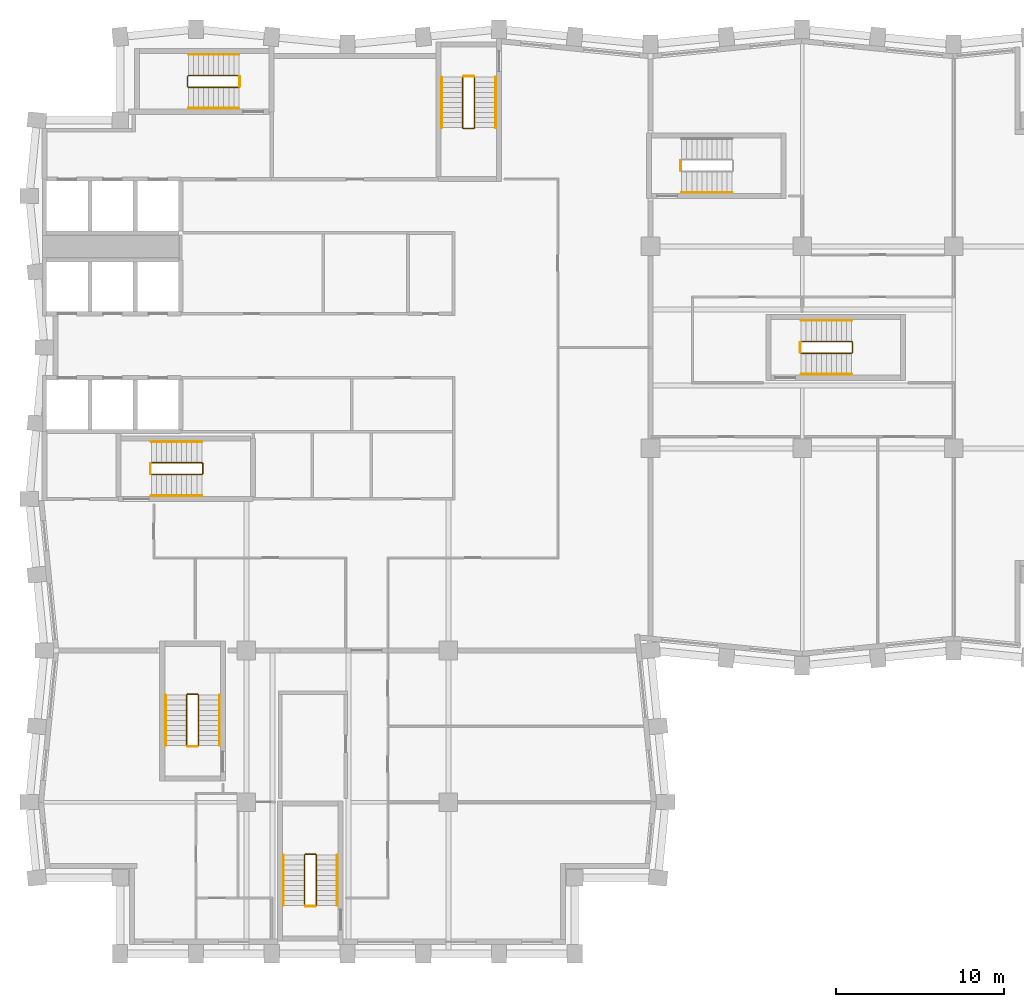
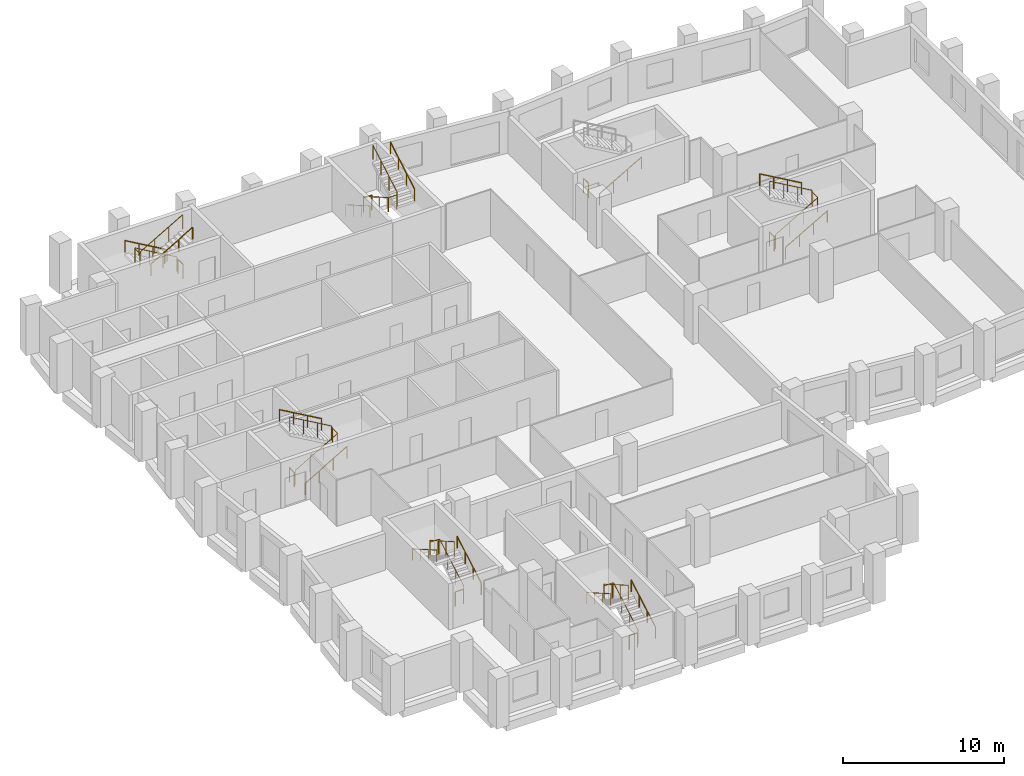
# One storey, part 9 of 10: 26 railings.
"""IFC4 building model written with IfcOpenShell, lengths in metres."""

import ifcopenshell
import ifcopenshell.guid

model = None  # the IFC model being written
_history = None  # IfcOwnerHistory: only IFC2X3 demands one
_inside = {}  # id of a spatial element -> (the spatial element, [elements in it])
_under = {}  # id of a project, library or spatial element -> (it, [spatial elements below it])
_declared = {}  # id of a project -> (the project, [libraries it declares])
_typed = {}  # id of a type object -> (the type object, [elements of that type])
_made_of = {}  # id of a material, layer set ... -> (it, [elements and type objects made of it])


def new_model(schema):
    """Start an empty IFC model of exactly this schema.

    Asked for "IFC4X3", IfcOpenShell would pick the latest addendum, in which some entities
    have other attributes; the version numbers below select the first issue.
    IFC2X3 requires an IfcOwnerHistory on every rooted entity: one is made here for all.
    """
    global model, _history
    if schema == "IFC4X3":
        model = ifcopenshell.file(schema_version=(4, 3, 0, 0))
    else:
        model = ifcopenshell.file(schema=schema)
    _inside.clear()
    _under.clear()
    _declared.clear()
    _typed.clear()
    _made_of.clear()
    _history = None
    if model.schema == "IFC2X3":
        org = make("IfcOrganization", Name="unknown")
        user = make(
            "IfcPersonAndOrganization",
            ThePerson=make("IfcPerson", FamilyName="unknown"),
            TheOrganization=org,
        )
        app = make(
            "IfcApplication",
            ApplicationDeveloper=org,
            Version="unknown",
            ApplicationFullName="unknown",
            ApplicationIdentifier="unknown",
        )
        _history = make(
            "IfcOwnerHistory",
            OwningUser=user,
            OwningApplication=app,
            ChangeAction="ADDED",
            CreationDate=0,
        )
    return model


def make(cls, **values):
    """One entity of the class cls with the attributes given. An attribute that is None is left unset."""
    return model.create_entity(
        cls, **{name: value for name, value in values.items() if value is not None}
    )


def rooted(cls, **values):
    """An entity with a GlobalId (a new one), such as an element, a storey or a relation."""
    return make(cls, GlobalId=ifcopenshell.guid.new(), OwnerHistory=_history, **values)


def si_unit(unit_type, name, prefix=None):
    """IfcSIUnit, for example si_unit("LENGTHUNIT", "METRE", prefix="MILLI")."""
    return make("IfcSIUnit", UnitType=unit_type, Prefix=prefix, Name=name)


def assignment(units):
    """IfcUnitAssignment: the units of a project."""
    return None if units is None else make("IfcUnitAssignment", Units=units)


def point(xyz):
    """IfcCartesianPoint."""
    return None if xyz is None else make("IfcCartesianPoint", Coordinates=xyz)


def direction(xyz):
    """IfcDirection."""
    return None if xyz is None else make("IfcDirection", DirectionRatios=xyz)


def frame(location, z_axis=None, x_axis=None):
    """IfcAxis2Placement3D, a coordinate frame: its origin and axes. An axis left out is left unset."""
    return make(
        "IfcAxis2Placement3D",
        Location=point(location),
        Axis=direction(z_axis),
        RefDirection=direction(x_axis),
    )


def frame_2d(location, x_axis=None):
    """IfcAxis2Placement2D, a coordinate frame in the plane: its origin and x axis."""
    return make(
        "IfcAxis2Placement2D", Location=point(location), RefDirection=direction(x_axis)
    )


def origin():
    """The frame at (0, 0, 0) with its axes left unset."""
    return frame((0.0, 0.0, 0.0))


def origin_2d():
    """The frame at (0, 0) in the plane with its x axis left unset."""
    return frame_2d((0.0, 0.0))


def place(relative_to, where):
    """IfcLocalPlacement: puts the frame where relative to a parent placement (None: the world)."""
    return make(
        "IfcLocalPlacement", PlacementRelTo=relative_to, RelativePlacement=where
    )


def context(
    kind, dimensions, precision=None, world=None, true_north=None, identifier=None
):
    """IfcGeometricRepresentationContext, for example the 3D "Model" context."""
    return make(
        "IfcGeometricRepresentationContext",
        ContextIdentifier=identifier,
        ContextType=kind,
        CoordinateSpaceDimension=dimensions,
        Precision=precision,
        WorldCoordinateSystem=world,
        TrueNorth=true_north,
    )


def subcontext(parent, identifier, kind, view, scale=None):
    """IfcGeometricRepresentationSubContext, for example "Body" below "Model"."""
    return make(
        "IfcGeometricRepresentationSubContext",
        ContextIdentifier=identifier,
        ContextType=kind,
        ParentContext=parent,
        TargetScale=scale,
        TargetView=view,
    )


def project(units=None, contexts=None):
    """IfcProject with its units and contexts."""
    return rooted(
        "IfcProject",
        Name="project",
        RepresentationContexts=contexts,
        UnitsInContext=assignment(units),
    )


def spatial(cls, under=None, at=None, **own):
    """A site, building, storey or space (cls), placed at a placement, below another one or the project."""
    s = rooted(cls, ObjectPlacement=at, **own)
    if under is not None:
        _under.setdefault(under.id(), (under, []))[1].append(s)
    return s


def profile(cls, at=None, kind="AREA", **sizes):
    """A parametric profile (cls). Its sizes go by their IFC names, for example OverallWidth=200.0."""
    return make(cls, ProfileType=kind, Position=at, **sizes)


def circle(**sizes):
    """IfcCircleProfileDef."""
    return profile("IfcCircleProfileDef", **sizes)


def extrude(swept, where, along, depth):
    """IfcExtrudedAreaSolid: the profile swept, set in the frame where, extruded along a direction by depth."""
    return make(
        "IfcExtrudedAreaSolid",
        SweptArea=swept,
        Position=where,
        ExtrudedDirection=direction(along),
        Depth=depth,
    )


def shape(context_of_items, identifier, shape_type, items):
    """IfcShapeRepresentation: the items that make up one representation, for example the "Body"."""
    return make(
        "IfcShapeRepresentation",
        ContextOfItems=context_of_items,
        RepresentationIdentifier=identifier,
        RepresentationType=shape_type,
        Items=items,
    )


def material(Name=None, Category=None):
    """IfcMaterial."""
    return make("IfcMaterial", Name=Name, Category=Category)


def made_of(thing, what):
    """Note that an element or type object is made of a material, layer set ...; save() writes the relation."""
    if what is not None:
        _made_of.setdefault(what.id(), (what, []))[1].append(thing)
    return thing


def type_object(cls, material=None, **own):
    """A type object (cls), such as IfcWallType, which elements share."""
    return made_of(rooted(cls, **own), material)


def element(
    cls,
    number,
    at=None,
    inside=None,
    cuts=None,
    type_object=None,
    material=None,
    context=None,
    identifier="Body",
    shape_type=None,
    held_by="IfcProductDefinitionShape",
    body=None,
    shapes=None,
    **own,
):
    """One element of the class cls, such as IfcWall. Its Tag is "e" and its number.

    at: its placement. inside: the storey or other place that contains it. cuts: it is an
    opening in that element (IfcRelVoidsElement). A single representation is given by context,
    identifier, shape_type and body (its items); several are given by shapes. held_by: the class
    of the entity that holds the representations. save() writes the other relations.
    """
    e = rooted(cls, Tag="e%d" % number, ObjectPlacement=at, **own)
    if body is not None:
        shapes = [shape(context, identifier, shape_type, body)]
    if shapes is not None:
        e.Representation = make(held_by, Representations=shapes)
    if inside is not None:
        _inside.setdefault(inside.id(), (inside, []))[1].append(e)
    if cuts is not None:
        rooted(
            "IfcRelVoidsElement", RelatingBuildingElement=cuts, RelatedOpeningElement=e
        )
    if type_object is not None:
        _typed.setdefault(type_object.id(), (type_object, []))[1].append(e)
    return made_of(e, material)


def aggregate(whole, parts):
    """IfcRelAggregates: a whole, such as a stair, and the parts it consists of."""
    return rooted("IfcRelAggregates", RelatingObject=whole, RelatedObjects=parts)


def save(model, path):
    """Write the relations noted so far, then the file.

    IfcRelAggregates (storeys below a building ...), IfcRelContainedInSpatialStructure (elements
    in a storey), IfcRelDefinesByType, IfcRelAssociatesMaterial and IfcRelDeclares: one each for
    every whole, place, type object, material and project.
    """
    for whole, parts in _under.values():
        aggregate(whole, parts)
    for where, things in _inside.values():
        rooted(
            "IfcRelContainedInSpatialStructure",
            RelatedElements=things,
            RelatingStructure=where,
        )
    for kind, things in _typed.values():
        rooted("IfcRelDefinesByType", RelatedObjects=things, RelatingType=kind)
    for what, things in _made_of.values():
        rooted("IfcRelAssociatesMaterial", RelatedObjects=things, RelatingMaterial=what)
    for by, libraries in _declared.values():
        rooted("IfcRelDeclares", RelatingContext=by, RelatedDefinitions=libraries)
    model.write(path)


model = new_model("IFC4")

# Units and contexts
model_context = context("Model", 3, precision=1e-05, world=origin(), true_north=direction((0.0, 1.0)))
body_context = subcontext(model_context, "Body", "Model", "MODEL_VIEW")
ifc_project = project(units=[si_unit("LENGTHUNIT", "METRE"), si_unit("AREAUNIT", "SQUARE_METRE"), si_unit("VOLUMEUNIT", "CUBIC_METRE"), si_unit("PLANEANGLEUNIT", "RADIAN"), si_unit("MASSUNIT", "GRAM", prefix="KILO")], contexts=[model_context])

# Site, building, storey
site_placement = place(None, origin())
site = spatial("IfcSite", under=ifc_project, at=site_placement, CompositionType="ELEMENT")
building_placement = place(site_placement, origin())
building = spatial("IfcBuilding", under=site, at=building_placement, Name="Brondeck Convention Tower", CompositionType="ELEMENT")
storey_placement = place(building_placement, frame((0.0, 0.0, 162.39990234375)))
storey = spatial("IfcBuildingStorey", under=building, at=storey_placement, Name="L39", CompositionType="ELEMENT", Elevation=162.39990234375)

# Railings
ifc_material = material(Name="Steel S355", Category="steel")
railing_type_1 = type_object("IfcRailingType", Name="Stair guard 1100", PredefinedType="GUARDRAIL", material=ifc_material)
railing_1_placement = place(storey_placement, frame((6.35009765625, 37.449951171875, 0.1728515625)))
element("IfcRailing", 1, at=railing_1_placement, inside=storey, type_object=railing_type_1, Name="L39 ST-1 stair guard 1", PredefinedType="GUARDRAIL", context=body_context, shape_type="SweptSolid", body=[
    extrude(circle(Radius=0.02392578125, at=origin_2d()), frame((0.0, 0.0, 1.076171875), z_axis=(0.866619684472, 0.0, 0.498969260062), x_axis=(0.0, 1.0, 0.0)), (0.0, 0.0, 1.0), 3.461669921875),
    extrude(circle(Radius=0.02392578125, at=origin_2d()), frame((3.0, 0.0, 2.80322265625), z_axis=(0.705375805398, 0.708833529934, 0.0), x_axis=(-0.708833529934, 0.705375805398, 0.0)), (0.0, 0.0, 1.0), 0.070556640625),
    extrude(circle(Radius=0.02392578125, at=origin_2d()), frame((3.0498046875, 0.050048828125, 2.80322265625), z_axis=(0.0, 1.0, 0.0), x_axis=(-1.0, 0.0, 0.0)), (0.0, 0.0, 1.0), 0.60009765625),
    extrude(circle(Radius=0.02392578125, at=origin_2d()), frame((3.0498046875, 0.650146484375, 2.80322265625), z_axis=(-0.26715648603, 0.26715648603, 0.925880566782), x_axis=(-0.707106781187, -0.707106781187, 0.0)), (0.0, 0.0, 1.0), 0.1865234375),
    extrude(circle(Radius=0.02392578125, at=origin_2d()), frame((3.0, 0.699951171875, 2.97607421875), z_axis=(-0.866619684472, 0.0, 0.498969260062), x_axis=(0.0, -1.0, 0.0)), (0.0, 0.0, 1.0), 3.461669921875),
    extrude(circle(Radius=0.02099609375, at=origin_2d()), origin(), (0.0, 0.0, 1.0), 1.052001953125),
    extrude(circle(Radius=0.02099609375, at=origin_2d()), frame((1.0, 0.0, 0.57568359375)), (0.0, 0.0, 1.0), 1.052001953125),
    extrude(circle(Radius=0.02099609375, at=origin_2d()), frame((2.0, 0.0, 1.151611328125)), (0.0, 0.0, 1.0), 1.052001953125),
    extrude(circle(Radius=0.02099609375, at=origin_2d()), frame((3.0, 0.0, 1.727294921875)), (0.0, 0.0, 1.0), 1.052001953125),
    extrude(circle(Radius=0.02099609375, at=origin_2d()), frame((3.0498046875, 0.050048828125, 1.727294921875)), (0.0, 0.0, 1.0), 1.052001953125),
    extrude(circle(Radius=0.02099609375, at=origin_2d()), frame((3.0498046875, 0.650146484375, 1.727294921875)), (0.0, 0.0, 1.0), 1.052001953125),
    extrude(circle(Radius=0.02099609375, at=origin_2d()), frame((3.0, 0.699951171875, 1.89990234375)), (0.0, 0.0, 1.0), 1.052001953125),
    extrude(circle(Radius=0.02099609375, at=origin_2d()), frame((2.0, 0.699951171875, 2.4755859375)), (0.0, 0.0, 1.0), 1.052001953125),
    extrude(circle(Radius=0.02099609375, at=origin_2d()), frame((1.0, 0.699951171875, 3.051513671875)), (0.0, 0.0, 1.0), 1.052001953125),
    extrude(circle(Radius=0.02099609375, at=origin_2d()), frame((0.0, 0.699951171875, 3.627197265625)), (0.0, 0.0, 1.0), 1.052001953125),
])
railing_2_placement = place(storey_placement, frame((6.300048828125, 37.5, 0.0)))
element("IfcRailing", 2, at=railing_2_placement, inside=storey, type_object=railing_type_1, Name="L39 ST-1 stair guard 2", PredefinedType="GUARDRAIL", context=body_context, shape_type="SweptSolid", body=[
    extrude(circle(Radius=0.02392578125, at=origin_2d()), frame((0.0, 0.0, 1.076171875), z_axis=(0.0, 1.0, 0.0), x_axis=(-1.0, 0.0, 0.0)), (0.0, 0.0, 1.0), 0.60009765625),
    extrude(circle(Radius=0.02099609375, at=origin_2d()), origin(), (0.0, 0.0, 1.0), 1.052001953125),
    extrude(circle(Radius=0.02099609375, at=origin_2d()), frame((0.0, 0.60009765625, 0.0)), (0.0, 0.0, 1.0), 1.052001953125),
])
railing_3_placement = place(storey_placement, frame((24.85009765625, 61.050048828125, 0.1728515625)))
element("IfcRailing", 3, at=railing_3_placement, inside=storey, type_object=railing_type_1, Name="L39 ST-2 stair guard 1", PredefinedType="GUARDRAIL", context=body_context, shape_type="SweptSolid", body=[
    extrude(circle(Radius=0.02392578125, at=origin_2d()), frame((0.0, 0.0, 1.076171875), z_axis=(0.0, -0.866619684472, 0.498969260062), x_axis=(1.0, 0.0, 0.0)), (0.0, 0.0, 1.0), 3.461669921875),
    extrude(circle(Radius=0.02392578125, at=origin_2d()), frame((0.0, -3.0, 2.80322265625), z_axis=(0.705375805398, -0.708833529934, 0.0), x_axis=(0.708833529934, 0.705375805398, 0.0)), (0.0, 0.0, 1.0), 0.070556640625),
    extrude(circle(Radius=0.02392578125, at=origin_2d()), frame((0.0498046875, -3.050048828125, 2.80322265625), z_axis=(1.0, 0.0, 0.0), x_axis=(0.0, 1.0, 0.0)), (0.0, 0.0, 1.0), 0.60009765625),
    extrude(circle(Radius=0.02392578125, at=origin_2d()), frame((0.64990234375, -3.050048828125, 2.80322265625), z_axis=(0.268277960024, 0.268277960024, 0.925231793839), x_axis=(-0.707106781187, 0.707106781187, 0.0)), (0.0, 0.0, 1.0), 0.1865234375),
    extrude(circle(Radius=0.02392578125, at=origin_2d()), frame((0.699951171875, -3.0, 2.97607421875), z_axis=(0.0, 0.866619684472, 0.498969260062), x_axis=(-1.0, 0.0, 0.0)), (0.0, 0.0, 1.0), 3.461669921875),
    extrude(circle(Radius=0.02099609375, at=origin_2d()), origin(), (0.0, 0.0, 1.0), 1.052001953125),
    extrude(circle(Radius=0.02099609375, at=origin_2d()), frame((0.0, -1.0, 0.57568359375)), (0.0, 0.0, 1.0), 1.052001953125),
    extrude(circle(Radius=0.02099609375, at=origin_2d()), frame((0.0, -2.0, 1.151611328125)), (0.0, 0.0, 1.0), 1.052001953125),
    extrude(circle(Radius=0.02099609375, at=origin_2d()), frame((0.0, -3.0, 1.727294921875)), (0.0, 0.0, 1.0), 1.052001953125),
    extrude(circle(Radius=0.02099609375, at=origin_2d()), frame((0.0498046875, -3.050048828125, 1.727294921875)), (0.0, 0.0, 1.0), 1.052001953125),
    extrude(circle(Radius=0.02099609375, at=origin_2d()), frame((0.64990234375, -3.050048828125, 1.727294921875)), (0.0, 0.0, 1.0), 1.052001953125),
    extrude(circle(Radius=0.02099609375, at=origin_2d()), frame((0.699951171875, -3.0, 1.89990234375)), (0.0, 0.0, 1.0), 1.052001953125),
    extrude(circle(Radius=0.02099609375, at=origin_2d()), frame((0.699951171875, -2.0, 2.4755859375)), (0.0, 0.0, 1.0), 1.052001953125),
    extrude(circle(Radius=0.02099609375, at=origin_2d()), frame((0.699951171875, -1.0, 3.051513671875)), (0.0, 0.0, 1.0), 1.052001953125),
    extrude(circle(Radius=0.02099609375, at=origin_2d()), frame((0.699951171875, 0.0, 3.627197265625)), (0.0, 0.0, 1.0), 1.052001953125),
])
railing_4_placement = place(storey_placement, frame((24.89990234375, 61.10009765625, 0.0)))
element("IfcRailing", 4, at=railing_4_placement, inside=storey, type_object=railing_type_1, Name="L39 ST-2 stair guard 2", PredefinedType="GUARDRAIL", context=body_context, shape_type="SweptSolid", body=[
    extrude(circle(Radius=0.02392578125, at=origin_2d()), frame((0.0, 0.0, 1.076171875), z_axis=(1.0, 0.0, 0.0), x_axis=(0.0, 1.0, 0.0)), (0.0, 0.0, 1.0), 0.60009765625),
    extrude(circle(Radius=0.02099609375, at=origin_2d()), origin(), (0.0, 0.0, 1.0), 1.052001953125),
    extrude(circle(Radius=0.02099609375, at=origin_2d()), frame((0.60009765625, 0.0, 0.0)), (0.0, 0.0, 1.0), 1.052001953125),
])
railing_5_placement = place(storey_placement, frame((11.550048828125, 61.14990234375, 0.1728515625)))
element("IfcRailing", 5, at=railing_5_placement, inside=storey, type_object=railing_type_1, Name="L39 ST-3 stair guard 1", PredefinedType="GUARDRAIL", context=body_context, shape_type="SweptSolid", body=[
    extrude(circle(Radius=0.02392578125, at=origin_2d()), frame((0.0, 0.0, 1.076171875), z_axis=(-0.866619684472, 0.0, 0.498969260062), x_axis=(0.0, -1.0, 0.0)), (0.0, 0.0, 1.0), 3.461669921875),
    extrude(circle(Radius=0.02392578125, at=origin_2d()), frame((-3.0, 0.0, 2.80322265625), z_axis=(-0.708833529934, -0.705375805398, 0.0), x_axis=(0.705375805398, -0.708833529934, 0.0)), (0.0, 0.0, 1.0), 0.070556640625),
    extrude(circle(Radius=0.02392578125, at=origin_2d()), frame((-3.050048828125, -0.0498046875, 2.80322265625), z_axis=(0.0, -1.0, 0.0), x_axis=(1.0, 0.0, 0.0)), (0.0, 0.0, 1.0), 0.60009765625),
    extrude(circle(Radius=0.02392578125, at=origin_2d()), frame((-3.050048828125, -0.64990234375, 2.80322265625), z_axis=(0.268277960024, -0.268277960024, 0.925231793839), x_axis=(0.707106781187, 0.707106781187, 0.0)), (0.0, 0.0, 1.0), 0.1865234375),
    extrude(circle(Radius=0.02392578125, at=origin_2d()), frame((-3.0, -0.699951171875, 2.97607421875), z_axis=(0.866619684472, 0.0, 0.498969260062), x_axis=(0.0, 1.0, 0.0)), (0.0, 0.0, 1.0), 3.461669921875),
    extrude(circle(Radius=0.02099609375, at=origin_2d()), origin(), (0.0, 0.0, 1.0), 1.052001953125),
    extrude(circle(Radius=0.02099609375, at=origin_2d()), frame((-1.0, 0.0, 0.57568359375)), (0.0, 0.0, 1.0), 1.052001953125),
    extrude(circle(Radius=0.02099609375, at=origin_2d()), frame((-2.0, 0.0, 1.151611328125)), (0.0, 0.0, 1.0), 1.052001953125),
    extrude(circle(Radius=0.02099609375, at=origin_2d()), frame((-3.0, 0.0, 1.727294921875)), (0.0, 0.0, 1.0), 1.052001953125),
    extrude(circle(Radius=0.02099609375, at=origin_2d()), frame((-3.050048828125, -0.0498046875, 1.727294921875)), (0.0, 0.0, 1.0), 1.052001953125),
    extrude(circle(Radius=0.02099609375, at=origin_2d()), frame((-3.050048828125, -0.64990234375, 1.727294921875)), (0.0, 0.0, 1.0), 1.052001953125),
    extrude(circle(Radius=0.02099609375, at=origin_2d()), frame((-3.0, -0.699951171875, 1.89990234375)), (0.0, 0.0, 1.0), 1.052001953125),
    extrude(circle(Radius=0.02099609375, at=origin_2d()), frame((-2.0, -0.699951171875, 2.4755859375)), (0.0, 0.0, 1.0), 1.052001953125),
    extrude(circle(Radius=0.02099609375, at=origin_2d()), frame((-1.0, -0.699951171875, 3.051513671875)), (0.0, 0.0, 1.0), 1.052001953125),
    extrude(circle(Radius=0.02099609375, at=origin_2d()), frame((0.0, -0.699951171875, 3.627197265625)), (0.0, 0.0, 1.0), 1.052001953125),
])
railing_6_placement = place(storey_placement, frame((11.60009765625, 61.10009765625, 0.0)))
element("IfcRailing", 6, at=railing_6_placement, inside=storey, type_object=railing_type_1, Name="L39 ST-3 stair guard 2", PredefinedType="GUARDRAIL", context=body_context, shape_type="SweptSolid", body=[
    extrude(circle(Radius=0.02392578125, at=origin_2d()), frame((0.0, 0.0, 1.076171875), z_axis=(0.0, -1.0, 0.0), x_axis=(1.0, 0.0, 0.0)), (0.0, 0.0, 1.0), 0.60009765625),
    extrude(circle(Radius=0.02099609375, at=origin_2d()), origin(), (0.0, 0.0, 1.0), 1.052001953125),
    extrude(circle(Radius=0.02099609375, at=origin_2d()), frame((0.0, -0.60009765625, 0.0)), (0.0, 0.0, 1.0), 1.052001953125),
])
railing_7_placement = place(storey_placement, frame((37.800048828125, 55.5, 0.0)))
element("IfcRailing", 7, at=railing_7_placement, inside=storey, type_object=railing_type_1, Name="L39 ST-AE stair guard 2", PredefinedType="GUARDRAIL", context=body_context, shape_type="SweptSolid", body=[
    extrude(circle(Radius=0.02392578125, at=origin_2d()), frame((0.0, 0.0, 1.076171875), z_axis=(0.0, 1.0, 0.0), x_axis=(-1.0, 0.0, 0.0)), (0.0, 0.0, 1.0), 0.60009765625),
    extrude(circle(Radius=0.02099609375, at=origin_2d()), origin(), (0.0, 0.0, 1.0), 1.052001953125),
    extrude(circle(Radius=0.02099609375, at=origin_2d()), frame((0.0, 0.60009765625, 0.0)), (0.0, 0.0, 1.0), 1.052001953125),
])
railing_8_placement = place(storey_placement, frame((9.14990234375, 21.35009765625, 0.1728515625)))
element("IfcRailing", 8, at=railing_8_placement, inside=storey, type_object=railing_type_1, Name="L39 ST-BE stair guard 1", PredefinedType="GUARDRAIL", context=body_context, shape_type="SweptSolid", body=[
    extrude(circle(Radius=0.02392578125, at=origin_2d()), frame((0.0, 0.0, 1.076171875), z_axis=(0.0, 0.866619684472, 0.498969260062), x_axis=(-1.0, 0.0, 0.0)), (0.0, 0.0, 1.0), 3.461669921875),
    extrude(circle(Radius=0.02392578125, at=origin_2d()), frame((0.0, 3.0, 2.80322265625), z_axis=(-0.707106781187, 0.707106781187, 0.0), x_axis=(-0.707106781187, -0.707106781187, 0.0)), (0.0, 0.0, 1.0), 0.0703125),
    extrude(circle(Radius=0.02392578125, at=origin_2d()), frame((-0.0498046875, 3.0498046875, 2.80322265625), z_axis=(-1.0, 0.0, 0.0), x_axis=(0.0, -1.0, 0.0)), (0.0, 0.0, 1.0), 0.60009765625),
    extrude(circle(Radius=0.02392578125, at=origin_2d()), frame((-0.64990234375, 3.0498046875, 2.80322265625), z_axis=(-0.268371968888, -0.267062837333, 0.925556009775), x_axis=(0.705375805398, -0.708833529934, 0.0)), (0.0, 0.0, 1.0), 0.1865234375),
    extrude(circle(Radius=0.02392578125, at=origin_2d()), frame((-0.699951171875, 3.0, 2.97607421875), z_axis=(0.0, -0.866619684472, 0.498969260062), x_axis=(1.0, 0.0, 0.0)), (0.0, 0.0, 1.0), 3.461669921875),
    extrude(circle(Radius=0.02099609375, at=origin_2d()), origin(), (0.0, 0.0, 1.0), 1.052001953125),
    extrude(circle(Radius=0.02099609375, at=origin_2d()), frame((0.0, 1.0, 0.57568359375)), (0.0, 0.0, 1.0), 1.052001953125),
    extrude(circle(Radius=0.02099609375, at=origin_2d()), frame((0.0, 2.0, 1.151611328125)), (0.0, 0.0, 1.0), 1.052001953125),
    extrude(circle(Radius=0.02099609375, at=origin_2d()), frame((0.0, 3.0, 1.727294921875)), (0.0, 0.0, 1.0), 1.052001953125),
    extrude(circle(Radius=0.02099609375, at=origin_2d()), frame((-0.0498046875, 3.0498046875, 1.727294921875)), (0.0, 0.0, 1.0), 1.052001953125),
    extrude(circle(Radius=0.02099609375, at=origin_2d()), frame((-0.64990234375, 3.0498046875, 1.727294921875)), (0.0, 0.0, 1.0), 1.052001953125),
    extrude(circle(Radius=0.02099609375, at=origin_2d()), frame((-0.699951171875, 3.0, 1.89990234375)), (0.0, 0.0, 1.0), 1.052001953125),
    extrude(circle(Radius=0.02099609375, at=origin_2d()), frame((-0.699951171875, 2.0, 2.4755859375)), (0.0, 0.0, 1.0), 1.052001953125),
    extrude(circle(Radius=0.02099609375, at=origin_2d()), frame((-0.699951171875, 1.0, 3.051513671875)), (0.0, 0.0, 1.0), 1.052001953125),
    extrude(circle(Radius=0.02099609375, at=origin_2d()), frame((-0.699951171875, 0.0, 3.627197265625)), (0.0, 0.0, 1.0), 1.052001953125),
])
railing_9_placement = place(storey_placement, frame((9.10009765625, 21.300048828125, 0.0)))
element("IfcRailing", 9, at=railing_9_placement, inside=storey, type_object=railing_type_1, Name="L39 ST-BE stair guard 2", PredefinedType="GUARDRAIL", context=body_context, shape_type="SweptSolid", body=[
    extrude(circle(Radius=0.02392578125, at=origin_2d()), frame((0.0, 0.0, 1.076171875), z_axis=(-1.0, 0.0, 0.0), x_axis=(0.0, -1.0, 0.0)), (0.0, 0.0, 1.0), 0.60009765625),
    extrude(circle(Radius=0.02099609375, at=origin_2d()), origin(), (0.0, 0.0, 1.0), 1.052001953125),
    extrude(circle(Radius=0.02099609375, at=origin_2d()), frame((-0.60009765625, 0.0, 0.0)), (0.0, 0.0, 1.0), 1.052001953125),
])
railing_10_placement = place(storey_placement, frame((44.949951171875, 44.64990234375, 0.1728515625)))
element("IfcRailing", 10, at=railing_10_placement, inside=storey, type_object=railing_type_1, Name="L39 ST-AF stair guard 1", PredefinedType="GUARDRAIL", context=body_context, shape_type="SweptSolid", body=[
    extrude(circle(Radius=0.02392578125, at=origin_2d()), frame((0.0, 0.0, 1.076171875), z_axis=(0.866619684472, 0.0, 0.498969260062), x_axis=(0.0, 1.0, 0.0)), (0.0, 0.0, 1.0), 3.461669921875),
    extrude(circle(Radius=0.02392578125, at=origin_2d()), frame((3.0, 0.0, 2.80322265625), z_axis=(0.707106781187, 0.707106781187, 0.0), x_axis=(-0.707106781187, 0.707106781187, 0.0)), (0.0, 0.0, 1.0), 0.07080078125),
    extrude(circle(Radius=0.02392578125, at=origin_2d()), frame((3.050048828125, 0.050048828125, 2.80322265625), z_axis=(0.0, 1.0, 0.0), x_axis=(-1.0, 0.0, 0.0)), (0.0, 0.0, 1.0), 0.60009765625),
    extrude(circle(Radius=0.02392578125, at=origin_2d()), frame((3.050048828125, 0.650146484375, 2.80322265625), z_axis=(-0.268277960024, 0.268277960024, 0.925231793839), x_axis=(-0.707106781187, -0.707106781187, 0.0)), (0.0, 0.0, 1.0), 0.1865234375),
    extrude(circle(Radius=0.02392578125, at=origin_2d()), frame((3.0, 0.7001953125, 2.97607421875), z_axis=(-0.866619684472, 0.0, 0.498969260062), x_axis=(0.0, -1.0, 0.0)), (0.0, 0.0, 1.0), 3.461669921875),
    extrude(circle(Radius=0.02099609375, at=origin_2d()), origin(), (0.0, 0.0, 1.0), 1.052001953125),
    extrude(circle(Radius=0.02099609375, at=origin_2d()), frame((1.0, 0.0, 0.57568359375)), (0.0, 0.0, 1.0), 1.052001953125),
    extrude(circle(Radius=0.02099609375, at=origin_2d()), frame((2.0, 0.0, 1.151611328125)), (0.0, 0.0, 1.0), 1.052001953125),
    extrude(circle(Radius=0.02099609375, at=origin_2d()), frame((3.0, 0.0, 1.727294921875)), (0.0, 0.0, 1.0), 1.052001953125),
    extrude(circle(Radius=0.02099609375, at=origin_2d()), frame((3.050048828125, 0.050048828125, 1.727294921875)), (0.0, 0.0, 1.0), 1.052001953125),
    extrude(circle(Radius=0.02099609375, at=origin_2d()), frame((3.050048828125, 0.650146484375, 1.727294921875)), (0.0, 0.0, 1.0), 1.052001953125),
    extrude(circle(Radius=0.02099609375, at=origin_2d()), frame((3.0, 0.7001953125, 1.89990234375)), (0.0, 0.0, 1.0), 1.052001953125),
    extrude(circle(Radius=0.02099609375, at=origin_2d()), frame((2.0, 0.7001953125, 2.4755859375)), (0.0, 0.0, 1.0), 1.052001953125),
    extrude(circle(Radius=0.02099609375, at=origin_2d()), frame((1.0, 0.7001953125, 3.051513671875)), (0.0, 0.0, 1.0), 1.052001953125),
    extrude(circle(Radius=0.02099609375, at=origin_2d()), frame((0.0, 0.7001953125, 3.627197265625)), (0.0, 0.0, 1.0), 1.052001953125),
])
railing_11_placement = place(storey_placement, frame((44.89990234375, 44.699951171875, 0.0)))
element("IfcRailing", 11, at=railing_11_placement, inside=storey, type_object=railing_type_1, Name="L39 ST-AF stair guard 2", PredefinedType="GUARDRAIL", context=body_context, shape_type="SweptSolid", body=[
    extrude(circle(Radius=0.02392578125, at=origin_2d()), frame((0.0, 0.0, 1.076171875), z_axis=(0.0, 1.0, 0.0), x_axis=(-1.0, 0.0, 0.0)), (0.0, 0.0, 1.0), 0.60009765625),
    extrude(circle(Radius=0.02099609375, at=origin_2d()), origin(), (0.0, 0.0, 1.0), 1.052001953125),
    extrude(circle(Radius=0.02099609375, at=origin_2d()), frame((0.0, 0.60009765625, 0.0)), (0.0, 0.0, 1.0), 1.052001953125),
])
railing_12_placement = place(storey_placement, frame((16.14990234375, 11.85009765625, 0.1728515625)))
element("IfcRailing", 12, at=railing_12_placement, inside=storey, type_object=railing_type_1, Name="L39 ST-BF stair guard 1", PredefinedType="GUARDRAIL", context=body_context, shape_type="SweptSolid", body=[
    extrude(circle(Radius=0.02392578125, at=origin_2d()), frame((0.0, 0.0, 1.076171875), z_axis=(0.0, 0.866619684472, 0.498969260062), x_axis=(-1.0, 0.0, 0.0)), (0.0, 0.0, 1.0), 3.461669921875),
    extrude(circle(Radius=0.02392578125, at=origin_2d()), frame((0.0, 3.0, 2.80322265625), z_axis=(-0.707106781187, 0.707106781187, 0.0), x_axis=(-0.707106781187, -0.707106781187, 0.0)), (0.0, 0.0, 1.0), 0.0703125),
    extrude(circle(Radius=0.02392578125, at=origin_2d()), frame((-0.0498046875, 3.0498046875, 2.80322265625), z_axis=(-1.0, 0.0, 0.0), x_axis=(0.0, -1.0, 0.0)), (0.0, 0.0, 1.0), 0.60009765625),
    extrude(circle(Radius=0.02392578125, at=origin_2d()), frame((-0.64990234375, 3.0498046875, 2.80322265625), z_axis=(-0.268371968888, -0.267062837333, 0.925556009775), x_axis=(0.705375805398, -0.708833529934, 0.0)), (0.0, 0.0, 1.0), 0.1865234375),
    extrude(circle(Radius=0.02392578125, at=origin_2d()), frame((-0.699951171875, 3.0, 2.97607421875), z_axis=(0.0, -0.866619684472, 0.498969260062), x_axis=(1.0, 0.0, 0.0)), (0.0, 0.0, 1.0), 3.461669921875),
    extrude(circle(Radius=0.02099609375, at=origin_2d()), origin(), (0.0, 0.0, 1.0), 1.052001953125),
    extrude(circle(Radius=0.02099609375, at=origin_2d()), frame((0.0, 1.0, 0.57568359375)), (0.0, 0.0, 1.0), 1.052001953125),
    extrude(circle(Radius=0.02099609375, at=origin_2d()), frame((0.0, 2.0, 1.151611328125)), (0.0, 0.0, 1.0), 1.052001953125),
    extrude(circle(Radius=0.02099609375, at=origin_2d()), frame((0.0, 3.0, 1.727294921875)), (0.0, 0.0, 1.0), 1.052001953125),
    extrude(circle(Radius=0.02099609375, at=origin_2d()), frame((-0.0498046875, 3.0498046875, 1.727294921875)), (0.0, 0.0, 1.0), 1.052001953125),
    extrude(circle(Radius=0.02099609375, at=origin_2d()), frame((-0.64990234375, 3.0498046875, 1.727294921875)), (0.0, 0.0, 1.0), 1.052001953125),
    extrude(circle(Radius=0.02099609375, at=origin_2d()), frame((-0.699951171875, 3.0, 1.89990234375)), (0.0, 0.0, 1.0), 1.052001953125),
    extrude(circle(Radius=0.02099609375, at=origin_2d()), frame((-0.699951171875, 2.0, 2.4755859375)), (0.0, 0.0, 1.0), 1.052001953125),
    extrude(circle(Radius=0.02099609375, at=origin_2d()), frame((-0.699951171875, 1.0, 3.051513671875)), (0.0, 0.0, 1.0), 1.052001953125),
    extrude(circle(Radius=0.02099609375, at=origin_2d()), frame((-0.699951171875, 0.0, 3.627197265625)), (0.0, 0.0, 1.0), 1.052001953125),
])
railing_13_placement = place(storey_placement, frame((16.10009765625, 11.800048828125, 0.0)))
element("IfcRailing", 13, at=railing_13_placement, inside=storey, type_object=railing_type_1, Name="L39 ST-BF stair guard 2", PredefinedType="GUARDRAIL", context=body_context, shape_type="SweptSolid", body=[
    extrude(circle(Radius=0.02392578125, at=origin_2d()), frame((0.0, 0.0, 1.076171875), z_axis=(-1.0, 0.0, 0.0), x_axis=(0.0, -1.0, 0.0)), (0.0, 0.0, 1.0), 0.60009765625),
    extrude(circle(Radius=0.02099609375, at=origin_2d()), origin(), (0.0, 0.0, 1.0), 1.052001953125),
    extrude(circle(Radius=0.02099609375, at=origin_2d()), frame((-0.60009765625, 0.0, 0.0)), (0.0, 0.0, 1.0), 1.052001953125),
])
railing_type_2 = type_object("IfcRailingType", Name="Stair handrail", PredefinedType="HANDRAIL", material=ifc_material)
railing_14_placement = place(storey_placement, frame((6.35009765625, 36.199951171875, 0.1728515625)))
element("IfcRailing", 14, at=railing_14_placement, inside=storey, type_object=railing_type_2, Name="L39 ST-1 stair handrail 1", PredefinedType="HANDRAIL", context=body_context, shape_type="SweptSolid", body=[
    extrude(circle(Radius=0.02392578125, at=origin_2d()), frame((0.0, 0.0, 0.8759765625), z_axis=(0.866619684472, 0.0, 0.498969260062), x_axis=(0.0, 1.0, 0.0)), (0.0, 0.0, 1.0), 3.461669921875),
    extrude(circle(Radius=0.02099609375, at=origin_2d()), origin(), (0.0, 0.0, 1.0), 0.851806640625),
    extrude(circle(Radius=0.02099609375, at=origin_2d()), frame((1.0, 0.0, 0.57568359375)), (0.0, 0.0, 1.0), 0.851806640625),
    extrude(circle(Radius=0.02099609375, at=origin_2d()), frame((2.0, 0.0, 1.151611328125)), (0.0, 0.0, 1.0), 0.851806640625),
    extrude(circle(Radius=0.02099609375, at=origin_2d()), frame((3.0, 0.0, 1.727294921875)), (0.0, 0.0, 1.0), 0.851806640625),
])
railing_15_placement = place(storey_placement, frame((9.35009765625, 39.39990234375, 2.07275390625)))
element("IfcRailing", 15, at=railing_15_placement, inside=storey, type_object=railing_type_2, Name="L39 ST-1 stair handrail 2", PredefinedType="HANDRAIL", context=body_context, shape_type="SweptSolid", body=[
    extrude(circle(Radius=0.02392578125, at=origin_2d()), frame((0.0, 0.0, 0.8759765625), z_axis=(-0.866619684472, 0.0, 0.498969260062), x_axis=(0.0, -1.0, 0.0)), (0.0, 0.0, 1.0), 3.461669921875),
    extrude(circle(Radius=0.02099609375, at=origin_2d()), origin(), (0.0, 0.0, 1.0), 0.851806640625),
    extrude(circle(Radius=0.02099609375, at=origin_2d()), frame((-1.0, 0.0, 0.57568359375)), (0.0, 0.0, 1.0), 0.851806640625),
    extrude(circle(Radius=0.02099609375, at=origin_2d()), frame((-2.0, 0.0, 1.151611328125)), (0.0, 0.0, 1.0), 0.851806640625),
    extrude(circle(Radius=0.02099609375, at=origin_2d()), frame((-3.0, 0.0, 1.727294921875)), (0.0, 0.0, 1.0), 0.851806640625),
])
railing_16_placement = place(storey_placement, frame((23.60009765625, 61.050048828125, 0.1728515625)))
element("IfcRailing", 16, at=railing_16_placement, inside=storey, type_object=railing_type_2, Name="L39 ST-2 stair handrail 1", PredefinedType="HANDRAIL", context=body_context, shape_type="SweptSolid", body=[
    extrude(circle(Radius=0.02392578125, at=origin_2d()), frame((0.0, 0.0, 0.8759765625), z_axis=(0.0, -0.866619684472, 0.498969260062), x_axis=(1.0, 0.0, 0.0)), (0.0, 0.0, 1.0), 3.461669921875),
    extrude(circle(Radius=0.02099609375, at=origin_2d()), origin(), (0.0, 0.0, 1.0), 0.851806640625),
    extrude(circle(Radius=0.02099609375, at=origin_2d()), frame((0.0, -1.0, 0.57568359375)), (0.0, 0.0, 1.0), 0.851806640625),
    extrude(circle(Radius=0.02099609375, at=origin_2d()), frame((0.0, -2.0, 1.151611328125)), (0.0, 0.0, 1.0), 0.851806640625),
    extrude(circle(Radius=0.02099609375, at=origin_2d()), frame((0.0, -3.0, 1.727294921875)), (0.0, 0.0, 1.0), 0.851806640625),
])
railing_17_placement = place(storey_placement, frame((26.800048828125, 58.050048828125, 2.07275390625)))
element("IfcRailing", 17, at=railing_17_placement, inside=storey, type_object=railing_type_2, Name="L39 ST-2 stair handrail 2", PredefinedType="HANDRAIL", context=body_context, shape_type="SweptSolid", body=[
    extrude(circle(Radius=0.02392578125, at=origin_2d()), frame((0.0, 0.0, 0.8759765625), z_axis=(0.0, 0.866619684472, 0.498969260062), x_axis=(-1.0, 0.0, 0.0)), (0.0, 0.0, 1.0), 3.461669921875),
    extrude(circle(Radius=0.02099609375, at=origin_2d()), origin(), (0.0, 0.0, 1.0), 0.851806640625),
    extrude(circle(Radius=0.02099609375, at=origin_2d()), frame((0.0, 1.0, 0.57568359375)), (0.0, 0.0, 1.0), 0.851806640625),
    extrude(circle(Radius=0.02099609375, at=origin_2d()), frame((0.0, 2.0, 1.151611328125)), (0.0, 0.0, 1.0), 0.851806640625),
    extrude(circle(Radius=0.02099609375, at=origin_2d()), frame((0.0, 3.0, 1.727294921875)), (0.0, 0.0, 1.0), 0.851806640625),
])
railing_18_placement = place(storey_placement, frame((11.550048828125, 62.39990234375, 0.1728515625)))
element("IfcRailing", 18, at=railing_18_placement, inside=storey, type_object=railing_type_2, Name="L39 ST-3 stair handrail 1", PredefinedType="HANDRAIL", context=body_context, shape_type="SweptSolid", body=[
    extrude(circle(Radius=0.02392578125, at=origin_2d()), frame((0.0, 0.0, 0.8759765625), z_axis=(-0.866619684472, 0.0, 0.498969260062), x_axis=(0.0, -1.0, 0.0)), (0.0, 0.0, 1.0), 3.461669921875),
    extrude(circle(Radius=0.02099609375, at=origin_2d()), origin(), (0.0, 0.0, 1.0), 0.851806640625),
    extrude(circle(Radius=0.02099609375, at=origin_2d()), frame((-1.0, 0.0, 0.57568359375)), (0.0, 0.0, 1.0), 0.851806640625),
    extrude(circle(Radius=0.02099609375, at=origin_2d()), frame((-2.0, 0.0, 1.151611328125)), (0.0, 0.0, 1.0), 0.851806640625),
    extrude(circle(Radius=0.02099609375, at=origin_2d()), frame((-3.0, 0.0, 1.727294921875)), (0.0, 0.0, 1.0), 0.851806640625),
])
for number, where, name in (
    (19, (8.550048828125, 59.199951171875, 2.07275390625), "L39 ST-3 stair handrail 2"),
    (20, (37.85009765625, 54.199951171875, 0.1728515625), "L39 ST-AE stair handrail 1"),
):
    element("IfcRailing", number, at=place(storey_placement, frame(where)), inside=storey, type_object=railing_type_2, Name=name, PredefinedType="HANDRAIL", context=body_context, shape_type="SweptSolid", body=[
        extrude(circle(Radius=0.02392578125, at=origin_2d()), frame((0.0, 0.0, 0.8759765625), z_axis=(0.866619684472, 0.0, 0.498969260062), x_axis=(0.0, 1.0, 0.0)), (0.0, 0.0, 1.0), 3.461669921875),
        extrude(circle(Radius=0.02099609375, at=origin_2d()), origin(), (0.0, 0.0, 1.0), 0.851806640625),
        extrude(circle(Radius=0.02099609375, at=origin_2d()), frame((1.0, 0.0, 0.57568359375)), (0.0, 0.0, 1.0), 0.851806640625),
        extrude(circle(Radius=0.02099609375, at=origin_2d()), frame((2.0, 0.0, 1.151611328125)), (0.0, 0.0, 1.0), 0.851806640625),
        extrude(circle(Radius=0.02099609375, at=origin_2d()), frame((3.0, 0.0, 1.727294921875)), (0.0, 0.0, 1.0), 0.851806640625),
    ])
railing_19_placement = place(storey_placement, frame((10.39990234375, 21.35009765625, 0.1728515625)))
element("IfcRailing", 21, at=railing_19_placement, inside=storey, type_object=railing_type_2, Name="L39 ST-BE stair handrail 1", PredefinedType="HANDRAIL", context=body_context, shape_type="SweptSolid", body=[
    extrude(circle(Radius=0.02392578125, at=origin_2d()), frame((0.0, 0.0, 0.8759765625), z_axis=(0.0, 0.866619684472, 0.498969260062), x_axis=(-1.0, 0.0, 0.0)), (0.0, 0.0, 1.0), 3.461669921875),
    extrude(circle(Radius=0.02099609375, at=origin_2d()), origin(), (0.0, 0.0, 1.0), 0.851806640625),
    extrude(circle(Radius=0.02099609375, at=origin_2d()), frame((0.0, 1.0, 0.57568359375)), (0.0, 0.0, 1.0), 0.851806640625),
    extrude(circle(Radius=0.02099609375, at=origin_2d()), frame((0.0, 2.0, 1.151611328125)), (0.0, 0.0, 1.0), 0.851806640625),
    extrude(circle(Radius=0.02099609375, at=origin_2d()), frame((0.0, 3.0, 1.727294921875)), (0.0, 0.0, 1.0), 0.851806640625),
])
railing_20_placement = place(storey_placement, frame((7.199951171875, 24.35009765625, 2.07275390625)))
element("IfcRailing", 22, at=railing_20_placement, inside=storey, type_object=railing_type_2, Name="L39 ST-BE stair handrail 2", PredefinedType="HANDRAIL", context=body_context, shape_type="SweptSolid", body=[
    extrude(circle(Radius=0.02392578125, at=origin_2d()), frame((0.0, 0.0, 0.8759765625), z_axis=(0.0, -0.866619684472, 0.498969260062), x_axis=(1.0, 0.0, 0.0)), (0.0, 0.0, 1.0), 3.461669921875),
    extrude(circle(Radius=0.02099609375, at=origin_2d()), origin(), (0.0, 0.0, 1.0), 0.851806640625),
    extrude(circle(Radius=0.02099609375, at=origin_2d()), frame((0.0, -1.0, 0.57568359375)), (0.0, 0.0, 1.0), 0.851806640625),
    extrude(circle(Radius=0.02099609375, at=origin_2d()), frame((0.0, -2.0, 1.151611328125)), (0.0, 0.0, 1.0), 0.851806640625),
    extrude(circle(Radius=0.02099609375, at=origin_2d()), frame((0.0, -3.0, 1.727294921875)), (0.0, 0.0, 1.0), 0.851806640625),
])
railing_21_placement = place(storey_placement, frame((44.949951171875, 43.39990234375, 0.1728515625)))
element("IfcRailing", 23, at=railing_21_placement, inside=storey, type_object=railing_type_2, Name="L39 ST-AF stair handrail 1", PredefinedType="HANDRAIL", context=body_context, shape_type="SweptSolid", body=[
    extrude(circle(Radius=0.02392578125, at=origin_2d()), frame((0.0, 0.0, 0.8759765625), z_axis=(0.866619684472, 0.0, 0.498969260062), x_axis=(0.0, 1.0, 0.0)), (0.0, 0.0, 1.0), 3.461669921875),
    extrude(circle(Radius=0.02099609375, at=origin_2d()), origin(), (0.0, 0.0, 1.0), 0.851806640625),
    extrude(circle(Radius=0.02099609375, at=origin_2d()), frame((1.0, 0.0, 0.57568359375)), (0.0, 0.0, 1.0), 0.851806640625),
    extrude(circle(Radius=0.02099609375, at=origin_2d()), frame((2.0, 0.0, 1.151611328125)), (0.0, 0.0, 1.0), 0.851806640625),
    extrude(circle(Radius=0.02099609375, at=origin_2d()), frame((3.0, 0.0, 1.727294921875)), (0.0, 0.0, 1.0), 0.851806640625),
])
railing_22_placement = place(storey_placement, frame((47.949951171875, 46.60009765625, 2.07275390625)))
element("IfcRailing", 24, at=railing_22_placement, inside=storey, type_object=railing_type_2, Name="L39 ST-AF stair handrail 2", PredefinedType="HANDRAIL", context=body_context, shape_type="SweptSolid", body=[
    extrude(circle(Radius=0.02392578125, at=origin_2d()), frame((0.0, 0.0, 0.8759765625), z_axis=(-0.866619684472, 0.0, 0.498969260062), x_axis=(0.0, -1.0, 0.0)), (0.0, 0.0, 1.0), 3.461669921875),
    extrude(circle(Radius=0.02099609375, at=origin_2d()), origin(), (0.0, 0.0, 1.0), 0.851806640625),
    extrude(circle(Radius=0.02099609375, at=origin_2d()), frame((-1.0, 0.0, 0.57568359375)), (0.0, 0.0, 1.0), 0.851806640625),
    extrude(circle(Radius=0.02099609375, at=origin_2d()), frame((-2.0, 0.0, 1.151611328125)), (0.0, 0.0, 1.0), 0.851806640625),
    extrude(circle(Radius=0.02099609375, at=origin_2d()), frame((-3.0, 0.0, 1.727294921875)), (0.0, 0.0, 1.0), 0.851806640625),
])
railing_23_placement = place(storey_placement, frame((17.39990234375, 11.85009765625, 0.1728515625)))
element("IfcRailing", 25, at=railing_23_placement, inside=storey, type_object=railing_type_2, Name="L39 ST-BF stair handrail 1", PredefinedType="HANDRAIL", context=body_context, shape_type="SweptSolid", body=[
    extrude(circle(Radius=0.02392578125, at=origin_2d()), frame((0.0, 0.0, 0.8759765625), z_axis=(0.0, 0.866619684472, 0.498969260062), x_axis=(-1.0, 0.0, 0.0)), (0.0, 0.0, 1.0), 3.461669921875),
    extrude(circle(Radius=0.02099609375, at=origin_2d()), origin(), (0.0, 0.0, 1.0), 0.851806640625),
    extrude(circle(Radius=0.02099609375, at=origin_2d()), frame((0.0, 1.0, 0.57568359375)), (0.0, 0.0, 1.0), 0.851806640625),
    extrude(circle(Radius=0.02099609375, at=origin_2d()), frame((0.0, 2.0, 1.151611328125)), (0.0, 0.0, 1.0), 0.851806640625),
    extrude(circle(Radius=0.02099609375, at=origin_2d()), frame((0.0, 3.0, 1.727294921875)), (0.0, 0.0, 1.0), 0.851806640625),
])
railing_24_placement = place(storey_placement, frame((14.199951171875, 14.85009765625, 2.07275390625)))
element("IfcRailing", 26, at=railing_24_placement, inside=storey, type_object=railing_type_2, Name="L39 ST-BF stair handrail 2", PredefinedType="HANDRAIL", context=body_context, shape_type="SweptSolid", body=[
    extrude(circle(Radius=0.02392578125, at=origin_2d()), frame((0.0, 0.0, 0.8759765625), z_axis=(0.0, -0.866619684472, 0.498969260062), x_axis=(1.0, 0.0, 0.0)), (0.0, 0.0, 1.0), 3.461669921875),
    extrude(circle(Radius=0.02099609375, at=origin_2d()), origin(), (0.0, 0.0, 1.0), 0.851806640625),
    extrude(circle(Radius=0.02099609375, at=origin_2d()), frame((0.0, -1.0, 0.57568359375)), (0.0, 0.0, 1.0), 0.851806640625),
    extrude(circle(Radius=0.02099609375, at=origin_2d()), frame((0.0, -2.0, 1.151611328125)), (0.0, 0.0, 1.0), 0.851806640625),
    extrude(circle(Radius=0.02099609375, at=origin_2d()), frame((0.0, -3.0, 1.727294921875)), (0.0, 0.0, 1.0), 0.851806640625),
])

save(model, "model.ifc")
